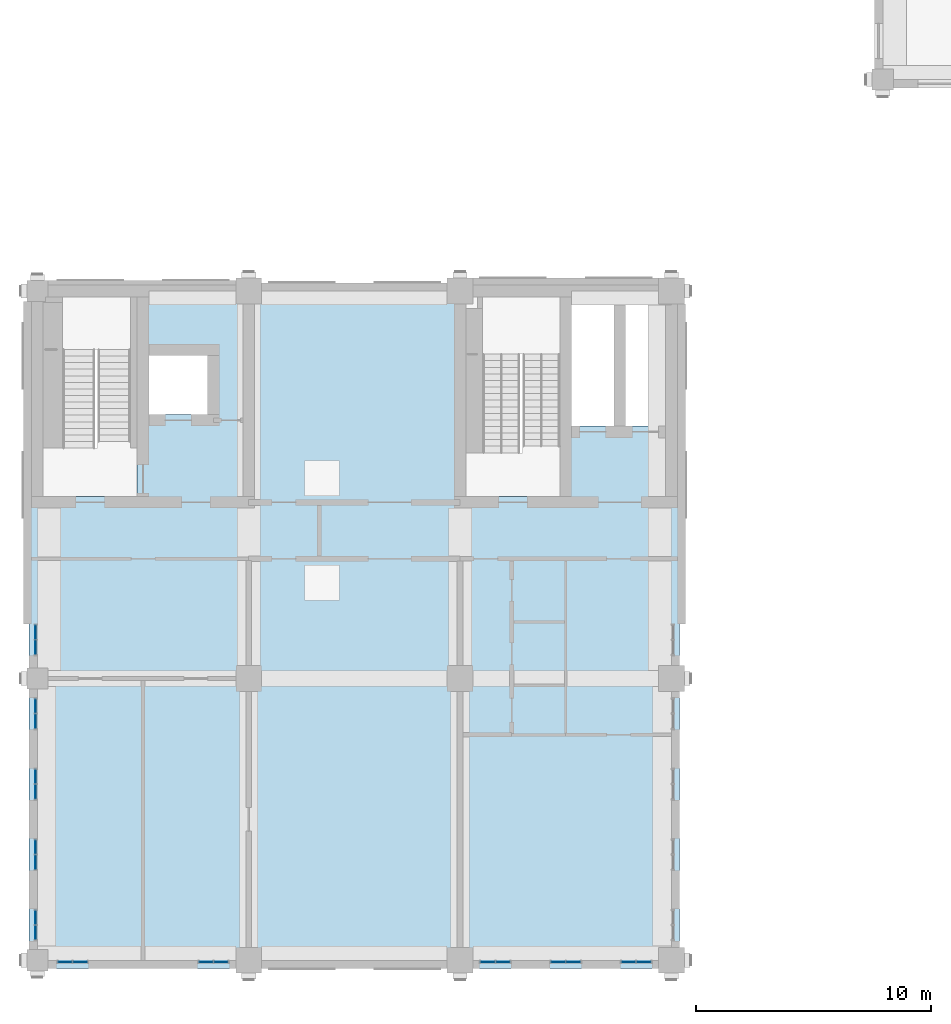
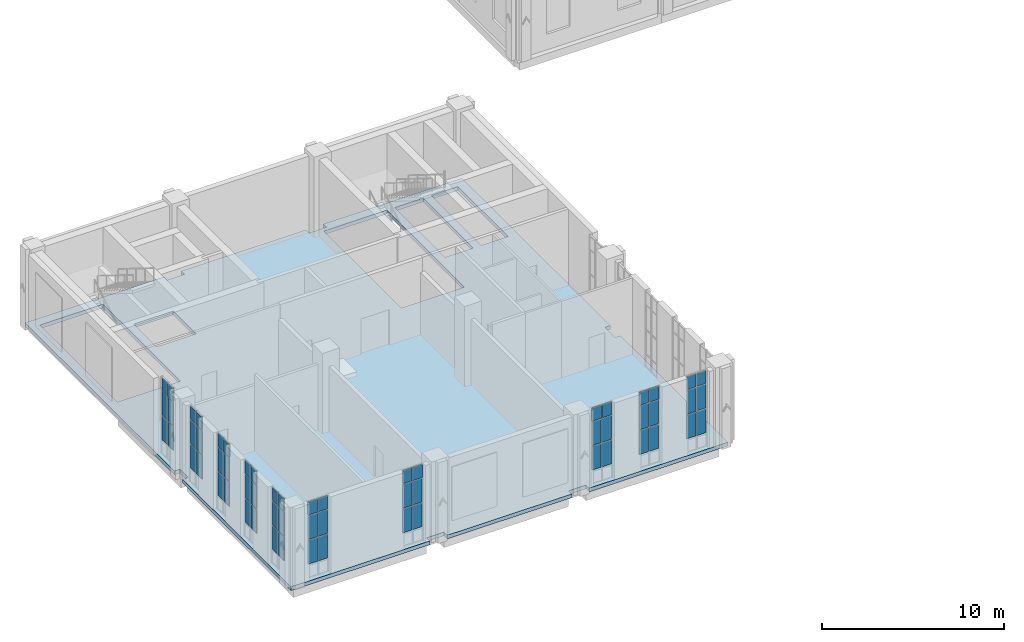
# One storey, part 9 of 25: 60 plates, 1 slab, 10 elements without a shape of their own.
"""IFC4 building model written with IfcOpenShell, lengths in metres."""

from ifc_helpers import new_model, si_unit, direction, frame, origin, origin_2d, place, context, subcontext, project, spatial, polyline, rectangle, outline, extrude, material, layer, layer_set, type_object, element, aggregate, save


model = new_model("IFC4")

# Units and contexts
model_context = context("Model", 3, precision=1e-05, world=origin(), true_north=direction((0.0, 1.0)))
body_context = subcontext(model_context, "Body", "Model", "MODEL_VIEW")
ifc_project = project(units=[si_unit("LENGTHUNIT", "METRE"), si_unit("AREAUNIT", "SQUARE_METRE"), si_unit("VOLUMEUNIT", "CUBIC_METRE"), si_unit("PLANEANGLEUNIT", "RADIAN"), si_unit("MASSUNIT", "GRAM", prefix="KILO")], contexts=[model_context])

# Site, building, storey
site_placement = place(None, origin())
site = spatial("IfcSite", under=ifc_project, at=site_placement, CompositionType="ELEMENT")
building_placement = place(site_placement, origin())
building = spatial("IfcBuilding", under=site, at=building_placement, Name="Aurelan Courthouse", CompositionType="ELEMENT")
storey_placement = place(building_placement, frame((0.0, 0.0, 33.60009765625)))
storey = spatial("IfcBuildingStorey", under=building, at=storey_placement, Name="L06", CompositionType="ELEMENT", Elevation=33.60009765625)

# Curtain wall, plates
ifc_material_1 = material(Name="Bronze-finished aluminium and glass", Category="aluminium")
ifc_layer_1 = layer(ifc_material_1, 0.14990234375)
ifc_layer_set_1 = layer_set([ifc_layer_1], Name="Bronze-finished aluminium and glass")
curtain_wall_type = type_object("IfcCurtainWallType", Name="Curtain wall 1350 x 5150", PredefinedType="NOTDEFINED", material=ifc_layer_set_1)
curtain_wall_1_placement = place(storey_placement, origin())
curtain_wall_1 = element("IfcCurtainWall", 1, at=curtain_wall_1_placement, inside=storey, type_object=curtain_wall_type, Name="Curtain wall CW-V5-L06-S01", PredefinedType="NOTDEFINED")
ifc_material_2 = material(Name="Limestone cladding", Category="masonry")
ifc_layer_2 = layer(ifc_material_2, 0.0400390625, Name="Facing")
ifc_material_3 = material(Name="Bronze sheet cladding", Category="bronze")
ifc_layer_3 = layer(ifc_material_3, 0.02001953125, Name="Back sheet")
ifc_layer_set_2 = layer_set([ifc_layer_2, ifc_layer_3], Name="Limestone cladding")
plate_type_1 = type_object("IfcPlateType", Name="Limestone spandrel panel with bronze back sheet 60", PredefinedType="CURTAIN_PANEL", material=ifc_layer_set_2)
plate_1_placement = place(storey_placement, frame((1.177490234375, -0.074951171875, 4.22998046875), z_axis=(0.0, 0.0, 1.0), x_axis=(1.0, 0.0, 0.0)))
plate_1 = element("IfcPlate", 2, at=plate_1_placement, type_object=plate_type_1, Name="CW-V5-L06-S01 spandrel panel 1.4", PredefinedType="CURTAIN_PANEL", context=body_context, shape_type="SweptSolid", body=[
    extrude(rectangle(XDim=0.5849609375, YDim=0.06005859375, at=origin_2d()), origin(), (0.0, 0.0, 1.0), 0.860107421875),
])
plate_2_placement = place(storey_placement, frame((1.822509765625, -0.074951171875, 4.22998046875), z_axis=(0.0, 0.0, 1.0), x_axis=(1.0, 0.0, 0.0)))
plate_2 = element("IfcPlate", 3, at=plate_2_placement, type_object=plate_type_1, Name="CW-V5-L06-S01 spandrel panel 2.4", PredefinedType="CURTAIN_PANEL", context=body_context, shape_type="SweptSolid", body=[
    extrude(rectangle(XDim=0.5849609375, YDim=0.06005859375, at=origin_2d()), origin(), (0.0, 0.0, 1.0), 0.860107421875),
])

curtain_wall_2_placement = place(storey_placement, origin())
curtain_wall_2 = element("IfcCurtainWall", 4, at=curtain_wall_2_placement, inside=storey, type_object=curtain_wall_type, Name="Curtain wall CW-V5-L06-S02", PredefinedType="NOTDEFINED")
plate_3_placement = place(storey_placement, frame((7.177490234375, -0.074951171875, 4.22998046875), z_axis=(0.0, 0.0, 1.0), x_axis=(1.0, 0.0, 0.0)))
plate_3 = element("IfcPlate", 5, at=plate_3_placement, type_object=plate_type_1, Name="CW-V5-L06-S02 spandrel panel 1.4", PredefinedType="CURTAIN_PANEL", context=body_context, shape_type="SweptSolid", body=[
    extrude(rectangle(XDim=0.5849609375, YDim=0.06005859375, at=origin_2d()), origin(), (0.0, 0.0, 1.0), 0.860107421875),
])
plate_4_placement = place(storey_placement, frame((7.822509765625, -0.074951171875, 4.22998046875), z_axis=(0.0, 0.0, 1.0), x_axis=(1.0, 0.0, 0.0)))
plate_4 = element("IfcPlate", 6, at=plate_4_placement, type_object=plate_type_1, Name="CW-V5-L06-S02 spandrel panel 2.4", PredefinedType="CURTAIN_PANEL", context=body_context, shape_type="SweptSolid", body=[
    extrude(rectangle(XDim=0.5849609375, YDim=0.06005859375, at=origin_2d()), origin(), (0.0, 0.0, 1.0), 0.860107421875),
])

curtain_wall_3_placement = place(storey_placement, origin())
curtain_wall_3 = element("IfcCurtainWall", 7, at=curtain_wall_3_placement, inside=storey, type_object=curtain_wall_type, Name="Curtain wall CW-V5-L06-S03", PredefinedType="NOTDEFINED")
plate_5_placement = place(storey_placement, frame((19.177490234375, -0.074951171875, 4.22998046875), z_axis=(0.0, 0.0, 1.0), x_axis=(1.0, 0.0, 0.0)))
plate_5 = element("IfcPlate", 8, at=plate_5_placement, type_object=plate_type_1, Name="CW-V5-L06-S03 spandrel panel 1.4", PredefinedType="CURTAIN_PANEL", context=body_context, shape_type="SweptSolid", body=[
    extrude(rectangle(XDim=0.5849609375, YDim=0.06005859375, at=origin_2d()), origin(), (0.0, 0.0, 1.0), 0.860107421875),
])
plate_6_placement = place(storey_placement, frame((19.822509765625, -0.074951171875, 4.22998046875), z_axis=(0.0, 0.0, 1.0), x_axis=(1.0, 0.0, 0.0)))
plate_6 = element("IfcPlate", 9, at=plate_6_placement, type_object=plate_type_1, Name="CW-V5-L06-S03 spandrel panel 2.4", PredefinedType="CURTAIN_PANEL", context=body_context, shape_type="SweptSolid", body=[
    extrude(rectangle(XDim=0.5849609375, YDim=0.06005859375, at=origin_2d()), origin(), (0.0, 0.0, 1.0), 0.860107421875),
])

curtain_wall_4_placement = place(storey_placement, origin())
curtain_wall_4 = element("IfcCurtainWall", 10, at=curtain_wall_4_placement, inside=storey, type_object=curtain_wall_type, Name="Curtain wall CW-V5-L06-S04", PredefinedType="NOTDEFINED")
plate_7_placement = place(storey_placement, frame((22.177490234375, -0.074951171875, 4.22998046875), z_axis=(0.0, 0.0, 1.0), x_axis=(1.0, 0.0, 0.0)))
plate_7 = element("IfcPlate", 11, at=plate_7_placement, type_object=plate_type_1, Name="CW-V5-L06-S04 spandrel panel 1.4", PredefinedType="CURTAIN_PANEL", context=body_context, shape_type="SweptSolid", body=[
    extrude(rectangle(XDim=0.5849609375, YDim=0.06005859375, at=origin_2d()), origin(), (0.0, 0.0, 1.0), 0.860107421875),
])
plate_8_placement = place(storey_placement, frame((22.822509765625, -0.074951171875, 4.22998046875), z_axis=(0.0, 0.0, 1.0), x_axis=(1.0, 0.0, 0.0)))
plate_8 = element("IfcPlate", 12, at=plate_8_placement, type_object=plate_type_1, Name="CW-V5-L06-S04 spandrel panel 2.4", PredefinedType="CURTAIN_PANEL", context=body_context, shape_type="SweptSolid", body=[
    extrude(rectangle(XDim=0.5849609375, YDim=0.06005859375, at=origin_2d()), origin(), (0.0, 0.0, 1.0), 0.860107421875),
])

curtain_wall_5_placement = place(storey_placement, origin())
curtain_wall_5 = element("IfcCurtainWall", 13, at=curtain_wall_5_placement, inside=storey, type_object=curtain_wall_type, Name="Curtain wall CW-V5-L06-S05", PredefinedType="NOTDEFINED")
plate_9_placement = place(storey_placement, frame((25.177490234375, -0.074951171875, 4.22998046875), z_axis=(0.0, 0.0, 1.0), x_axis=(1.0, 0.0, 0.0)))
plate_9 = element("IfcPlate", 14, at=plate_9_placement, type_object=plate_type_1, Name="CW-V5-L06-S05 spandrel panel 1.4", PredefinedType="CURTAIN_PANEL", context=body_context, shape_type="SweptSolid", body=[
    extrude(rectangle(XDim=0.5849609375, YDim=0.06005859375, at=origin_2d()), origin(), (0.0, 0.0, 1.0), 0.860107421875),
])
plate_10_placement = place(storey_placement, frame((25.822509765625, -0.074951171875, 4.22998046875), z_axis=(0.0, 0.0, 1.0), x_axis=(1.0, 0.0, 0.0)))
plate_10 = element("IfcPlate", 15, at=plate_10_placement, type_object=plate_type_1, Name="CW-V5-L06-S05 spandrel panel 2.4", PredefinedType="CURTAIN_PANEL", context=body_context, shape_type="SweptSolid", body=[
    extrude(rectangle(XDim=0.5849609375, YDim=0.06005859375, at=origin_2d()), origin(), (0.0, 0.0, 1.0), 0.860107421875),
])

curtain_wall_6_placement = place(storey_placement, origin())
curtain_wall_6 = element("IfcCurtainWall", 16, at=curtain_wall_6_placement, inside=storey, type_object=curtain_wall_type, Name="Curtain wall CW-V5-L06-W01", PredefinedType="NOTDEFINED")
plate_11_placement = place(storey_placement, frame((-0.074951171875, 1.177490234375, 4.22998046875), z_axis=(0.0, 0.0, 1.0), x_axis=(0.0, 1.0, 0.0)))
plate_11 = element("IfcPlate", 17, at=plate_11_placement, type_object=plate_type_1, Name="CW-V5-L06-W01 spandrel panel 1.4", PredefinedType="CURTAIN_PANEL", context=body_context, shape_type="SweptSolid", body=[
    extrude(rectangle(XDim=0.5849609375, YDim=0.06005859375, at=origin_2d()), origin(), (0.0, 0.0, 1.0), 0.860107421875),
])
plate_12_placement = place(storey_placement, frame((-0.074951171875, 1.822509765625, 4.22998046875), z_axis=(0.0, 0.0, 1.0), x_axis=(0.0, 1.0, 0.0)))
plate_12 = element("IfcPlate", 18, at=plate_12_placement, type_object=plate_type_1, Name="CW-V5-L06-W01 spandrel panel 2.4", PredefinedType="CURTAIN_PANEL", context=body_context, shape_type="SweptSolid", body=[
    extrude(rectangle(XDim=0.5849609375, YDim=0.06005859375, at=origin_2d()), origin(), (0.0, 0.0, 1.0), 0.860107421875),
])

curtain_wall_7_placement = place(storey_placement, origin())
curtain_wall_7 = element("IfcCurtainWall", 19, at=curtain_wall_7_placement, inside=storey, type_object=curtain_wall_type, Name="Curtain wall CW-V5-L06-W02", PredefinedType="NOTDEFINED")
plate_13_placement = place(storey_placement, frame((-0.074951171875, 4.177490234375, 4.22998046875), z_axis=(0.0, 0.0, 1.0), x_axis=(0.0, 1.0, 0.0)))
plate_13 = element("IfcPlate", 20, at=plate_13_placement, type_object=plate_type_1, Name="CW-V5-L06-W02 spandrel panel 1.4", PredefinedType="CURTAIN_PANEL", context=body_context, shape_type="SweptSolid", body=[
    extrude(rectangle(XDim=0.5849609375, YDim=0.06005859375, at=origin_2d()), origin(), (0.0, 0.0, 1.0), 0.860107421875),
])
plate_14_placement = place(storey_placement, frame((-0.074951171875, 4.822509765625, 4.22998046875), z_axis=(0.0, 0.0, 1.0), x_axis=(0.0, 1.0, 0.0)))
plate_14 = element("IfcPlate", 21, at=plate_14_placement, type_object=plate_type_1, Name="CW-V5-L06-W02 spandrel panel 2.4", PredefinedType="CURTAIN_PANEL", context=body_context, shape_type="SweptSolid", body=[
    extrude(rectangle(XDim=0.5849609375, YDim=0.06005859375, at=origin_2d()), origin(), (0.0, 0.0, 1.0), 0.860107421875),
])

curtain_wall_8_placement = place(storey_placement, origin())
curtain_wall_8 = element("IfcCurtainWall", 22, at=curtain_wall_8_placement, inside=storey, type_object=curtain_wall_type, Name="Curtain wall CW-V5-L06-W03", PredefinedType="NOTDEFINED")
plate_15_placement = place(storey_placement, frame((-0.074951171875, 7.177490234375, 4.22998046875), z_axis=(0.0, 0.0, 1.0), x_axis=(0.0, 1.0, 0.0)))
plate_15 = element("IfcPlate", 23, at=plate_15_placement, type_object=plate_type_1, Name="CW-V5-L06-W03 spandrel panel 1.4", PredefinedType="CURTAIN_PANEL", context=body_context, shape_type="SweptSolid", body=[
    extrude(rectangle(XDim=0.5849609375, YDim=0.06005859375, at=origin_2d()), origin(), (0.0, 0.0, 1.0), 0.860107421875),
])
plate_16_placement = place(storey_placement, frame((-0.074951171875, 7.822509765625, 4.22998046875), z_axis=(0.0, 0.0, 1.0), x_axis=(0.0, 1.0, 0.0)))
plate_16 = element("IfcPlate", 24, at=plate_16_placement, type_object=plate_type_1, Name="CW-V5-L06-W03 spandrel panel 2.4", PredefinedType="CURTAIN_PANEL", context=body_context, shape_type="SweptSolid", body=[
    extrude(rectangle(XDim=0.5849609375, YDim=0.06005859375, at=origin_2d()), origin(), (0.0, 0.0, 1.0), 0.860107421875),
])

curtain_wall_9_placement = place(storey_placement, origin())
curtain_wall_9 = element("IfcCurtainWall", 25, at=curtain_wall_9_placement, inside=storey, type_object=curtain_wall_type, Name="Curtain wall CW-V5-L06-W04", PredefinedType="NOTDEFINED")
plate_17_placement = place(storey_placement, frame((-0.074951171875, 10.177490234375, 4.22998046875), z_axis=(0.0, 0.0, 1.0), x_axis=(0.0, 1.0, 0.0)))
plate_17 = element("IfcPlate", 26, at=plate_17_placement, type_object=plate_type_1, Name="CW-V5-L06-W04 spandrel panel 1.4", PredefinedType="CURTAIN_PANEL", context=body_context, shape_type="SweptSolid", body=[
    extrude(rectangle(XDim=0.5849609375, YDim=0.06005859375, at=origin_2d()), origin(), (0.0, 0.0, 1.0), 0.860107421875),
])
plate_18_placement = place(storey_placement, frame((-0.074951171875, 10.822509765625, 4.22998046875), z_axis=(0.0, 0.0, 1.0), x_axis=(0.0, 1.0, 0.0)))
plate_18 = element("IfcPlate", 27, at=plate_18_placement, type_object=plate_type_1, Name="CW-V5-L06-W04 spandrel panel 2.4", PredefinedType="CURTAIN_PANEL", context=body_context, shape_type="SweptSolid", body=[
    extrude(rectangle(XDim=0.5849609375, YDim=0.06005859375, at=origin_2d()), origin(), (0.0, 0.0, 1.0), 0.860107421875),
])

curtain_wall_10_placement = place(storey_placement, origin())
curtain_wall_10 = element("IfcCurtainWall", 28, at=curtain_wall_10_placement, inside=storey, type_object=curtain_wall_type, Name="Curtain wall CW-V5-L06-W05", PredefinedType="NOTDEFINED")
plate_19_placement = place(storey_placement, frame((-0.074951171875, 13.327392578125, 4.22998046875), z_axis=(0.0, 0.0, 1.0), x_axis=(0.0, 1.0, 0.0)))
plate_19 = element("IfcPlate", 29, at=plate_19_placement, type_object=plate_type_1, Name="CW-V5-L06-W05 spandrel panel 1.4", PredefinedType="CURTAIN_PANEL", context=body_context, shape_type="SweptSolid", body=[
    extrude(rectangle(XDim=0.5849609375, YDim=0.06005859375, at=origin_2d()), origin(), (0.0, 0.0, 1.0), 0.860107421875),
])
plate_20_placement = place(storey_placement, frame((-0.074951171875, 13.972412109375, 4.22998046875), z_axis=(0.0, 0.0, 1.0), x_axis=(0.0, 1.0, 0.0)))
plate_20 = element("IfcPlate", 30, at=plate_20_placement, type_object=plate_type_1, Name="CW-V5-L06-W05 spandrel panel 2.4", PredefinedType="CURTAIN_PANEL", context=body_context, shape_type="SweptSolid", body=[
    extrude(rectangle(XDim=0.5849609375, YDim=0.06005859375, at=origin_2d()), origin(), (0.0, 0.0, 1.0), 0.860107421875),
])

# Slab
ifc_material_4 = material(Name="Concrete C40", Category="concrete")
ifc_layer_4 = layer(ifc_material_4, 0.25)
ifc_layer_set_3 = layer_set([ifc_layer_4], Name="Concrete C40")
slab_type = type_object("IfcSlabType", Name="PT floor slab 250", PredefinedType="FLOOR", material=ifc_layer_set_3)
slab_placement = place(storey_placement, frame((0.0, 0.0, -0.25)))
element("IfcSlab", 31, at=slab_placement, inside=storey, type_object=slab_type, Name="Floor slab SL-L06-02", PredefinedType="FLOOR", context=body_context, shape_type="SweptSolid", body=[
    extrude(outline(polyline([(0.0, 12.449951171875), (0.0, 11.550048828125), (-0.35009765625, 11.550048828125), (-0.35009765625, 0.449951171875), (-0.35009765625, -0.35009765625), (0.449951171875, -0.35009765625), (8.449951171875, -0.35009765625), (8.449951171875, 0.0), (9.550048828125, 0.0), (9.550048828125, -0.35009765625), (17.449951171875, -0.35009765625), (17.449951171875, 0.0), (18.550048828125, 0.0), (18.550048828125, -0.35009765625), (26.449951171875, -0.35009765625), (27.35009765625, -0.35009765625), (27.35009765625, 0.550048828125), (27.35009765625, 11.449951171875), (27.0, 11.449951171875), (27.0, 12.550048828125), (27.35009765625, 12.550048828125), (27.35009765625, 27.949951171875), (27.35009765625, 28.85009765625), (26.449951171875, 28.85009765625), (18.550048828125, 28.85009765625), (18.550048828125, 28.5), (17.449951171875, 28.5), (17.449951171875, 28.85009765625), (9.550048828125, 28.85009765625), (9.550048828125, 28.5), (8.449951171875, 28.5), (8.449951171875, 28.85009765625), (0.449951171875, 28.85009765625), (-0.35009765625, 28.85009765625), (-0.35009765625, 28.050048828125), (-0.35009765625, 12.449951171875), (0.0, 12.449951171875)]), holes=[polyline([(26.75, 28.25), (26.75, 22.75), (25.050048828125, 22.75), (25.050048828125, 28.25), (26.75, 28.25)]), polyline([(22.75, 28.25), (24.550048828125, 28.25), (24.550048828125, 22.75), (22.75, 22.75), (22.75, 28.25)]), polyline([(22.25, 28.25), (22.25, 19.75), (18.25, 19.75), (18.25, 28.25), (22.25, 28.25)]), polyline([(4.75, 23.25), (4.75, 25.75), (7.25, 25.75), (7.25, 23.25), (4.75, 23.25)]), polyline([(4.25, 19.75), (0.25, 19.75), (0.25, 28.25), (4.25, 28.25), (4.25, 19.75)])]), origin(), (0.0, 0.0, 1.0), 0.25),
])

# Plate
ifc_material_5 = material(Name="Laminated low-emissivity glass", Category="glass")
ifc_layer_5 = layer(ifc_material_5, 0.028076171875)
ifc_layer_set_4 = layer_set([ifc_layer_5], Name="Laminated low-emissivity glass")
plate_type_2 = type_object("IfcPlateType", Name="Vision glass panel 28", PredefinedType="CURTAIN_PANEL", material=ifc_layer_set_4)
plate_21_placement = place(storey_placement, frame((1.177490234375, -0.074951171875, 0.9296875), z_axis=(0.0, 0.0, 1.0), x_axis=(1.0, 0.0, 0.0)))
plate_21 = element("IfcPlate", 32, at=plate_21_placement, type_object=plate_type_2, Name="CW-V5-L06-S01 vision panel 1.2", PredefinedType="CURTAIN_PANEL", context=body_context, shape_type="SweptSolid", body=[
    extrude(rectangle(XDim=0.5849609375, YDim=0.028076171875, at=origin_2d()), origin(), (0.0, 0.0, 1.0), 1.590087890625),
])

plate_22_placement = place(storey_placement, frame((1.177490234375, -0.074951171875, 2.580078125), z_axis=(0.0, 0.0, 1.0), x_axis=(1.0, 0.0, 0.0)))
plate_22 = element("IfcPlate", 33, at=plate_22_placement, type_object=plate_type_2, Name="CW-V5-L06-S01 vision panel 1.3", PredefinedType="CURTAIN_PANEL", context=body_context, shape_type="SweptSolid", body=[
    extrude(rectangle(XDim=0.5849609375, YDim=0.028076171875, at=origin_2d()), origin(), (0.0, 0.0, 1.0), 1.590087890625),
])

plate_23_placement = place(storey_placement, frame((1.822509765625, -0.074951171875, 0.9296875), z_axis=(0.0, 0.0, 1.0), x_axis=(1.0, 0.0, 0.0)))
plate_23 = element("IfcPlate", 34, at=plate_23_placement, type_object=plate_type_2, Name="CW-V5-L06-S01 vision panel 2.2", PredefinedType="CURTAIN_PANEL", context=body_context, shape_type="SweptSolid", body=[
    extrude(rectangle(XDim=0.5849609375, YDim=0.028076171875, at=origin_2d()), origin(), (0.0, 0.0, 1.0), 1.590087890625),
])

plate_24_placement = place(storey_placement, frame((1.822509765625, -0.074951171875, 2.580078125), z_axis=(0.0, 0.0, 1.0), x_axis=(1.0, 0.0, 0.0)))
plate_24 = element("IfcPlate", 35, at=plate_24_placement, type_object=plate_type_2, Name="CW-V5-L06-S01 vision panel 2.3", PredefinedType="CURTAIN_PANEL", context=body_context, shape_type="SweptSolid", body=[
    extrude(rectangle(XDim=0.5849609375, YDim=0.028076171875, at=origin_2d()), origin(), (0.0, 0.0, 1.0), 1.590087890625),
])

aggregate(curtain_wall_1, [plate_21, plate_22, plate_1, plate_23, plate_24, plate_2])

plate_25_placement = place(storey_placement, frame((7.177490234375, -0.074951171875, 0.9296875), z_axis=(0.0, 0.0, 1.0), x_axis=(1.0, 0.0, 0.0)))
plate_25 = element("IfcPlate", 36, at=plate_25_placement, type_object=plate_type_2, Name="CW-V5-L06-S02 vision panel 1.2", PredefinedType="CURTAIN_PANEL", context=body_context, shape_type="SweptSolid", body=[
    extrude(rectangle(XDim=0.5849609375, YDim=0.028076171875, at=origin_2d()), origin(), (0.0, 0.0, 1.0), 1.590087890625),
])

plate_26_placement = place(storey_placement, frame((7.177490234375, -0.074951171875, 2.580078125), z_axis=(0.0, 0.0, 1.0), x_axis=(1.0, 0.0, 0.0)))
plate_26 = element("IfcPlate", 37, at=plate_26_placement, type_object=plate_type_2, Name="CW-V5-L06-S02 vision panel 1.3", PredefinedType="CURTAIN_PANEL", context=body_context, shape_type="SweptSolid", body=[
    extrude(rectangle(XDim=0.5849609375, YDim=0.028076171875, at=origin_2d()), origin(), (0.0, 0.0, 1.0), 1.590087890625),
])

plate_27_placement = place(storey_placement, frame((7.822509765625, -0.074951171875, 0.9296875), z_axis=(0.0, 0.0, 1.0), x_axis=(1.0, 0.0, 0.0)))
plate_27 = element("IfcPlate", 38, at=plate_27_placement, type_object=plate_type_2, Name="CW-V5-L06-S02 vision panel 2.2", PredefinedType="CURTAIN_PANEL", context=body_context, shape_type="SweptSolid", body=[
    extrude(rectangle(XDim=0.5849609375, YDim=0.028076171875, at=origin_2d()), origin(), (0.0, 0.0, 1.0), 1.590087890625),
])

plate_28_placement = place(storey_placement, frame((7.822509765625, -0.074951171875, 2.580078125), z_axis=(0.0, 0.0, 1.0), x_axis=(1.0, 0.0, 0.0)))
plate_28 = element("IfcPlate", 39, at=plate_28_placement, type_object=plate_type_2, Name="CW-V5-L06-S02 vision panel 2.3", PredefinedType="CURTAIN_PANEL", context=body_context, shape_type="SweptSolid", body=[
    extrude(rectangle(XDim=0.5849609375, YDim=0.028076171875, at=origin_2d()), origin(), (0.0, 0.0, 1.0), 1.590087890625),
])

aggregate(curtain_wall_2, [plate_25, plate_26, plate_3, plate_27, plate_28, plate_4])

plate_29_placement = place(storey_placement, frame((19.177490234375, -0.074951171875, 0.9296875), z_axis=(0.0, 0.0, 1.0), x_axis=(1.0, 0.0, 0.0)))
plate_29 = element("IfcPlate", 40, at=plate_29_placement, type_object=plate_type_2, Name="CW-V5-L06-S03 vision panel 1.2", PredefinedType="CURTAIN_PANEL", context=body_context, shape_type="SweptSolid", body=[
    extrude(rectangle(XDim=0.5849609375, YDim=0.028076171875, at=origin_2d()), origin(), (0.0, 0.0, 1.0), 1.590087890625),
])

plate_30_placement = place(storey_placement, frame((19.177490234375, -0.074951171875, 2.580078125), z_axis=(0.0, 0.0, 1.0), x_axis=(1.0, 0.0, 0.0)))
plate_30 = element("IfcPlate", 41, at=plate_30_placement, type_object=plate_type_2, Name="CW-V5-L06-S03 vision panel 1.3", PredefinedType="CURTAIN_PANEL", context=body_context, shape_type="SweptSolid", body=[
    extrude(rectangle(XDim=0.5849609375, YDim=0.028076171875, at=origin_2d()), origin(), (0.0, 0.0, 1.0), 1.590087890625),
])

plate_31_placement = place(storey_placement, frame((19.822509765625, -0.074951171875, 0.9296875), z_axis=(0.0, 0.0, 1.0), x_axis=(1.0, 0.0, 0.0)))
plate_31 = element("IfcPlate", 42, at=plate_31_placement, type_object=plate_type_2, Name="CW-V5-L06-S03 vision panel 2.2", PredefinedType="CURTAIN_PANEL", context=body_context, shape_type="SweptSolid", body=[
    extrude(rectangle(XDim=0.5849609375, YDim=0.028076171875, at=origin_2d()), origin(), (0.0, 0.0, 1.0), 1.590087890625),
])

plate_32_placement = place(storey_placement, frame((19.822509765625, -0.074951171875, 2.580078125), z_axis=(0.0, 0.0, 1.0), x_axis=(1.0, 0.0, 0.0)))
plate_32 = element("IfcPlate", 43, at=plate_32_placement, type_object=plate_type_2, Name="CW-V5-L06-S03 vision panel 2.3", PredefinedType="CURTAIN_PANEL", context=body_context, shape_type="SweptSolid", body=[
    extrude(rectangle(XDim=0.5849609375, YDim=0.028076171875, at=origin_2d()), origin(), (0.0, 0.0, 1.0), 1.590087890625),
])

aggregate(curtain_wall_3, [plate_29, plate_30, plate_5, plate_31, plate_32, plate_6])

plate_33_placement = place(storey_placement, frame((22.177490234375, -0.074951171875, 0.9296875), z_axis=(0.0, 0.0, 1.0), x_axis=(1.0, 0.0, 0.0)))
plate_33 = element("IfcPlate", 44, at=plate_33_placement, type_object=plate_type_2, Name="CW-V5-L06-S04 vision panel 1.2", PredefinedType="CURTAIN_PANEL", context=body_context, shape_type="SweptSolid", body=[
    extrude(rectangle(XDim=0.5849609375, YDim=0.028076171875, at=origin_2d()), origin(), (0.0, 0.0, 1.0), 1.590087890625),
])

plate_34_placement = place(storey_placement, frame((22.177490234375, -0.074951171875, 2.580078125), z_axis=(0.0, 0.0, 1.0), x_axis=(1.0, 0.0, 0.0)))
plate_34 = element("IfcPlate", 45, at=plate_34_placement, type_object=plate_type_2, Name="CW-V5-L06-S04 vision panel 1.3", PredefinedType="CURTAIN_PANEL", context=body_context, shape_type="SweptSolid", body=[
    extrude(rectangle(XDim=0.5849609375, YDim=0.028076171875, at=origin_2d()), origin(), (0.0, 0.0, 1.0), 1.590087890625),
])

plate_35_placement = place(storey_placement, frame((22.822509765625, -0.074951171875, 0.9296875), z_axis=(0.0, 0.0, 1.0), x_axis=(1.0, 0.0, 0.0)))
plate_35 = element("IfcPlate", 46, at=plate_35_placement, type_object=plate_type_2, Name="CW-V5-L06-S04 vision panel 2.2", PredefinedType="CURTAIN_PANEL", context=body_context, shape_type="SweptSolid", body=[
    extrude(rectangle(XDim=0.5849609375, YDim=0.028076171875, at=origin_2d()), origin(), (0.0, 0.0, 1.0), 1.590087890625),
])

plate_36_placement = place(storey_placement, frame((22.822509765625, -0.074951171875, 2.580078125), z_axis=(0.0, 0.0, 1.0), x_axis=(1.0, 0.0, 0.0)))
plate_36 = element("IfcPlate", 47, at=plate_36_placement, type_object=plate_type_2, Name="CW-V5-L06-S04 vision panel 2.3", PredefinedType="CURTAIN_PANEL", context=body_context, shape_type="SweptSolid", body=[
    extrude(rectangle(XDim=0.5849609375, YDim=0.028076171875, at=origin_2d()), origin(), (0.0, 0.0, 1.0), 1.590087890625),
])

aggregate(curtain_wall_4, [plate_33, plate_34, plate_7, plate_35, plate_36, plate_8])

plate_37_placement = place(storey_placement, frame((25.177490234375, -0.074951171875, 0.9296875), z_axis=(0.0, 0.0, 1.0), x_axis=(1.0, 0.0, 0.0)))
plate_37 = element("IfcPlate", 48, at=plate_37_placement, type_object=plate_type_2, Name="CW-V5-L06-S05 vision panel 1.2", PredefinedType="CURTAIN_PANEL", context=body_context, shape_type="SweptSolid", body=[
    extrude(rectangle(XDim=0.5849609375, YDim=0.028076171875, at=origin_2d()), origin(), (0.0, 0.0, 1.0), 1.590087890625),
])

plate_38_placement = place(storey_placement, frame((25.177490234375, -0.074951171875, 2.580078125), z_axis=(0.0, 0.0, 1.0), x_axis=(1.0, 0.0, 0.0)))
plate_38 = element("IfcPlate", 49, at=plate_38_placement, type_object=plate_type_2, Name="CW-V5-L06-S05 vision panel 1.3", PredefinedType="CURTAIN_PANEL", context=body_context, shape_type="SweptSolid", body=[
    extrude(rectangle(XDim=0.5849609375, YDim=0.028076171875, at=origin_2d()), origin(), (0.0, 0.0, 1.0), 1.590087890625),
])

plate_39_placement = place(storey_placement, frame((25.822509765625, -0.074951171875, 0.9296875), z_axis=(0.0, 0.0, 1.0), x_axis=(1.0, 0.0, 0.0)))
plate_39 = element("IfcPlate", 50, at=plate_39_placement, type_object=plate_type_2, Name="CW-V5-L06-S05 vision panel 2.2", PredefinedType="CURTAIN_PANEL", context=body_context, shape_type="SweptSolid", body=[
    extrude(rectangle(XDim=0.5849609375, YDim=0.028076171875, at=origin_2d()), origin(), (0.0, 0.0, 1.0), 1.590087890625),
])

plate_40_placement = place(storey_placement, frame((25.822509765625, -0.074951171875, 2.580078125), z_axis=(0.0, 0.0, 1.0), x_axis=(1.0, 0.0, 0.0)))
plate_40 = element("IfcPlate", 51, at=plate_40_placement, type_object=plate_type_2, Name="CW-V5-L06-S05 vision panel 2.3", PredefinedType="CURTAIN_PANEL", context=body_context, shape_type="SweptSolid", body=[
    extrude(rectangle(XDim=0.5849609375, YDim=0.028076171875, at=origin_2d()), origin(), (0.0, 0.0, 1.0), 1.590087890625),
])

aggregate(curtain_wall_5, [plate_37, plate_38, plate_9, plate_39, plate_40, plate_10])

plate_41_placement = place(storey_placement, frame((-0.074951171875, 1.177490234375, 0.9296875), z_axis=(0.0, 0.0, 1.0), x_axis=(0.0, 1.0, 0.0)))
plate_41 = element("IfcPlate", 52, at=plate_41_placement, type_object=plate_type_2, Name="CW-V5-L06-W01 vision panel 1.2", PredefinedType="CURTAIN_PANEL", context=body_context, shape_type="SweptSolid", body=[
    extrude(rectangle(XDim=0.5849609375, YDim=0.028076171875, at=origin_2d()), origin(), (0.0, 0.0, 1.0), 1.590087890625),
])

plate_42_placement = place(storey_placement, frame((-0.074951171875, 1.177490234375, 2.580078125), z_axis=(0.0, 0.0, 1.0), x_axis=(0.0, 1.0, 0.0)))
plate_42 = element("IfcPlate", 53, at=plate_42_placement, type_object=plate_type_2, Name="CW-V5-L06-W01 vision panel 1.3", PredefinedType="CURTAIN_PANEL", context=body_context, shape_type="SweptSolid", body=[
    extrude(rectangle(XDim=0.5849609375, YDim=0.028076171875, at=origin_2d()), origin(), (0.0, 0.0, 1.0), 1.590087890625),
])

plate_43_placement = place(storey_placement, frame((-0.074951171875, 1.822509765625, 0.9296875), z_axis=(0.0, 0.0, 1.0), x_axis=(0.0, 1.0, 0.0)))
plate_43 = element("IfcPlate", 54, at=plate_43_placement, type_object=plate_type_2, Name="CW-V5-L06-W01 vision panel 2.2", PredefinedType="CURTAIN_PANEL", context=body_context, shape_type="SweptSolid", body=[
    extrude(rectangle(XDim=0.5849609375, YDim=0.028076171875, at=origin_2d()), origin(), (0.0, 0.0, 1.0), 1.590087890625),
])

plate_44_placement = place(storey_placement, frame((-0.074951171875, 1.822509765625, 2.580078125), z_axis=(0.0, 0.0, 1.0), x_axis=(0.0, 1.0, 0.0)))
plate_44 = element("IfcPlate", 55, at=plate_44_placement, type_object=plate_type_2, Name="CW-V5-L06-W01 vision panel 2.3", PredefinedType="CURTAIN_PANEL", context=body_context, shape_type="SweptSolid", body=[
    extrude(rectangle(XDim=0.5849609375, YDim=0.028076171875, at=origin_2d()), origin(), (0.0, 0.0, 1.0), 1.590087890625),
])

aggregate(curtain_wall_6, [plate_41, plate_42, plate_11, plate_43, plate_44, plate_12])

plate_45_placement = place(storey_placement, frame((-0.074951171875, 4.177490234375, 0.9296875), z_axis=(0.0, 0.0, 1.0), x_axis=(0.0, 1.0, 0.0)))
plate_45 = element("IfcPlate", 56, at=plate_45_placement, type_object=plate_type_2, Name="CW-V5-L06-W02 vision panel 1.2", PredefinedType="CURTAIN_PANEL", context=body_context, shape_type="SweptSolid", body=[
    extrude(rectangle(XDim=0.5849609375, YDim=0.028076171875, at=origin_2d()), origin(), (0.0, 0.0, 1.0), 1.590087890625),
])

plate_46_placement = place(storey_placement, frame((-0.074951171875, 4.177490234375, 2.580078125), z_axis=(0.0, 0.0, 1.0), x_axis=(0.0, 1.0, 0.0)))
plate_46 = element("IfcPlate", 57, at=plate_46_placement, type_object=plate_type_2, Name="CW-V5-L06-W02 vision panel 1.3", PredefinedType="CURTAIN_PANEL", context=body_context, shape_type="SweptSolid", body=[
    extrude(rectangle(XDim=0.5849609375, YDim=0.028076171875, at=origin_2d()), origin(), (0.0, 0.0, 1.0), 1.590087890625),
])

plate_47_placement = place(storey_placement, frame((-0.074951171875, 4.822509765625, 0.9296875), z_axis=(0.0, 0.0, 1.0), x_axis=(0.0, 1.0, 0.0)))
plate_47 = element("IfcPlate", 58, at=plate_47_placement, type_object=plate_type_2, Name="CW-V5-L06-W02 vision panel 2.2", PredefinedType="CURTAIN_PANEL", context=body_context, shape_type="SweptSolid", body=[
    extrude(rectangle(XDim=0.5849609375, YDim=0.028076171875, at=origin_2d()), origin(), (0.0, 0.0, 1.0), 1.590087890625),
])

plate_48_placement = place(storey_placement, frame((-0.074951171875, 4.822509765625, 2.580078125), z_axis=(0.0, 0.0, 1.0), x_axis=(0.0, 1.0, 0.0)))
plate_48 = element("IfcPlate", 59, at=plate_48_placement, type_object=plate_type_2, Name="CW-V5-L06-W02 vision panel 2.3", PredefinedType="CURTAIN_PANEL", context=body_context, shape_type="SweptSolid", body=[
    extrude(rectangle(XDim=0.5849609375, YDim=0.028076171875, at=origin_2d()), origin(), (0.0, 0.0, 1.0), 1.590087890625),
])

aggregate(curtain_wall_7, [plate_45, plate_46, plate_13, plate_47, plate_48, plate_14])

plate_49_placement = place(storey_placement, frame((-0.074951171875, 7.177490234375, 0.9296875), z_axis=(0.0, 0.0, 1.0), x_axis=(0.0, 1.0, 0.0)))
plate_49 = element("IfcPlate", 60, at=plate_49_placement, type_object=plate_type_2, Name="CW-V5-L06-W03 vision panel 1.2", PredefinedType="CURTAIN_PANEL", context=body_context, shape_type="SweptSolid", body=[
    extrude(rectangle(XDim=0.5849609375, YDim=0.028076171875, at=origin_2d()), origin(), (0.0, 0.0, 1.0), 1.590087890625),
])

plate_50_placement = place(storey_placement, frame((-0.074951171875, 7.177490234375, 2.580078125), z_axis=(0.0, 0.0, 1.0), x_axis=(0.0, 1.0, 0.0)))
plate_50 = element("IfcPlate", 61, at=plate_50_placement, type_object=plate_type_2, Name="CW-V5-L06-W03 vision panel 1.3", PredefinedType="CURTAIN_PANEL", context=body_context, shape_type="SweptSolid", body=[
    extrude(rectangle(XDim=0.5849609375, YDim=0.028076171875, at=origin_2d()), origin(), (0.0, 0.0, 1.0), 1.590087890625),
])

plate_51_placement = place(storey_placement, frame((-0.074951171875, 7.822509765625, 0.9296875), z_axis=(0.0, 0.0, 1.0), x_axis=(0.0, 1.0, 0.0)))
plate_51 = element("IfcPlate", 62, at=plate_51_placement, type_object=plate_type_2, Name="CW-V5-L06-W03 vision panel 2.2", PredefinedType="CURTAIN_PANEL", context=body_context, shape_type="SweptSolid", body=[
    extrude(rectangle(XDim=0.5849609375, YDim=0.028076171875, at=origin_2d()), origin(), (0.0, 0.0, 1.0), 1.590087890625),
])

plate_52_placement = place(storey_placement, frame((-0.074951171875, 7.822509765625, 2.580078125), z_axis=(0.0, 0.0, 1.0), x_axis=(0.0, 1.0, 0.0)))
plate_52 = element("IfcPlate", 63, at=plate_52_placement, type_object=plate_type_2, Name="CW-V5-L06-W03 vision panel 2.3", PredefinedType="CURTAIN_PANEL", context=body_context, shape_type="SweptSolid", body=[
    extrude(rectangle(XDim=0.5849609375, YDim=0.028076171875, at=origin_2d()), origin(), (0.0, 0.0, 1.0), 1.590087890625),
])

aggregate(curtain_wall_8, [plate_49, plate_50, plate_15, plate_51, plate_52, plate_16])

plate_53_placement = place(storey_placement, frame((-0.074951171875, 10.177490234375, 0.9296875), z_axis=(0.0, 0.0, 1.0), x_axis=(0.0, 1.0, 0.0)))
plate_53 = element("IfcPlate", 64, at=plate_53_placement, type_object=plate_type_2, Name="CW-V5-L06-W04 vision panel 1.2", PredefinedType="CURTAIN_PANEL", context=body_context, shape_type="SweptSolid", body=[
    extrude(rectangle(XDim=0.5849609375, YDim=0.028076171875, at=origin_2d()), origin(), (0.0, 0.0, 1.0), 1.590087890625),
])

plate_54_placement = place(storey_placement, frame((-0.074951171875, 10.177490234375, 2.580078125), z_axis=(0.0, 0.0, 1.0), x_axis=(0.0, 1.0, 0.0)))
plate_54 = element("IfcPlate", 65, at=plate_54_placement, type_object=plate_type_2, Name="CW-V5-L06-W04 vision panel 1.3", PredefinedType="CURTAIN_PANEL", context=body_context, shape_type="SweptSolid", body=[
    extrude(rectangle(XDim=0.5849609375, YDim=0.028076171875, at=origin_2d()), origin(), (0.0, 0.0, 1.0), 1.590087890625),
])

plate_55_placement = place(storey_placement, frame((-0.074951171875, 10.822509765625, 0.9296875), z_axis=(0.0, 0.0, 1.0), x_axis=(0.0, 1.0, 0.0)))
plate_55 = element("IfcPlate", 66, at=plate_55_placement, type_object=plate_type_2, Name="CW-V5-L06-W04 vision panel 2.2", PredefinedType="CURTAIN_PANEL", context=body_context, shape_type="SweptSolid", body=[
    extrude(rectangle(XDim=0.5849609375, YDim=0.028076171875, at=origin_2d()), origin(), (0.0, 0.0, 1.0), 1.590087890625),
])

plate_56_placement = place(storey_placement, frame((-0.074951171875, 10.822509765625, 2.580078125), z_axis=(0.0, 0.0, 1.0), x_axis=(0.0, 1.0, 0.0)))
plate_56 = element("IfcPlate", 67, at=plate_56_placement, type_object=plate_type_2, Name="CW-V5-L06-W04 vision panel 2.3", PredefinedType="CURTAIN_PANEL", context=body_context, shape_type="SweptSolid", body=[
    extrude(rectangle(XDim=0.5849609375, YDim=0.028076171875, at=origin_2d()), origin(), (0.0, 0.0, 1.0), 1.590087890625),
])

aggregate(curtain_wall_9, [plate_53, plate_54, plate_17, plate_55, plate_56, plate_18])

plate_57_placement = place(storey_placement, frame((-0.074951171875, 13.327392578125, 0.9296875), z_axis=(0.0, 0.0, 1.0), x_axis=(0.0, 1.0, 0.0)))
plate_57 = element("IfcPlate", 68, at=plate_57_placement, type_object=plate_type_2, Name="CW-V5-L06-W05 vision panel 1.2", PredefinedType="CURTAIN_PANEL", context=body_context, shape_type="SweptSolid", body=[
    extrude(rectangle(XDim=0.5849609375, YDim=0.028076171875, at=origin_2d()), origin(), (0.0, 0.0, 1.0), 1.590087890625),
])

plate_58_placement = place(storey_placement, frame((-0.074951171875, 13.327392578125, 2.580078125), z_axis=(0.0, 0.0, 1.0), x_axis=(0.0, 1.0, 0.0)))
plate_58 = element("IfcPlate", 69, at=plate_58_placement, type_object=plate_type_2, Name="CW-V5-L06-W05 vision panel 1.3", PredefinedType="CURTAIN_PANEL", context=body_context, shape_type="SweptSolid", body=[
    extrude(rectangle(XDim=0.5849609375, YDim=0.028076171875, at=origin_2d()), origin(), (0.0, 0.0, 1.0), 1.590087890625),
])

plate_59_placement = place(storey_placement, frame((-0.074951171875, 13.972412109375, 0.9296875), z_axis=(0.0, 0.0, 1.0), x_axis=(0.0, 1.0, 0.0)))
plate_59 = element("IfcPlate", 70, at=plate_59_placement, type_object=plate_type_2, Name="CW-V5-L06-W05 vision panel 2.2", PredefinedType="CURTAIN_PANEL", context=body_context, shape_type="SweptSolid", body=[
    extrude(rectangle(XDim=0.5849609375, YDim=0.028076171875, at=origin_2d()), origin(), (0.0, 0.0, 1.0), 1.590087890625),
])

plate_60_placement = place(storey_placement, frame((-0.074951171875, 13.972412109375, 2.580078125), z_axis=(0.0, 0.0, 1.0), x_axis=(0.0, 1.0, 0.0)))
plate_60 = element("IfcPlate", 71, at=plate_60_placement, type_object=plate_type_2, Name="CW-V5-L06-W05 vision panel 2.3", PredefinedType="CURTAIN_PANEL", context=body_context, shape_type="SweptSolid", body=[
    extrude(rectangle(XDim=0.5849609375, YDim=0.028076171875, at=origin_2d()), origin(), (0.0, 0.0, 1.0), 1.590087890625),
])

aggregate(curtain_wall_10, [plate_57, plate_58, plate_19, plate_59, plate_60, plate_20])

save(model, "model.ifc")
